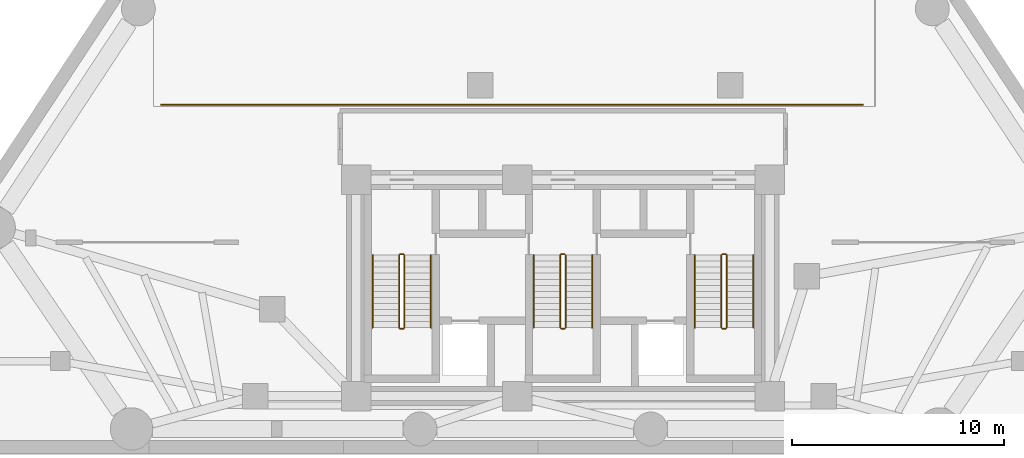
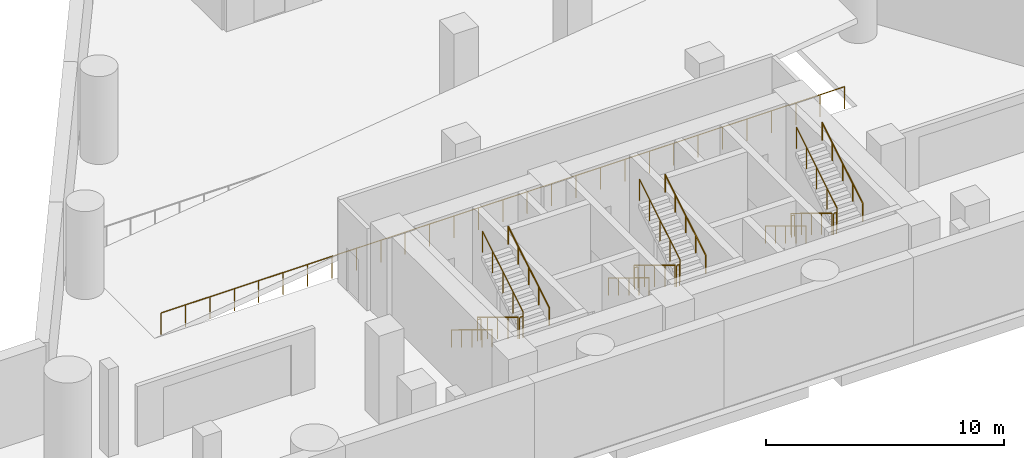
# One storey, part 5 of 6: 19 railings.
"""IFC4 building model written with IfcOpenShell, lengths in metres."""

from ifc_helpers import new_model, si_unit, direction, frame, origin, origin_2d, place, context, subcontext, project, spatial, circle, extrude, material, type_object, element, save


model = new_model("IFC4")

# Units and contexts
model_context = context("Model", 3, precision=1e-05, world=origin(), true_north=direction((0.0, 1.0)))
body_context = subcontext(model_context, "Body", "Model", "MODEL_VIEW")
ifc_project = project(units=[si_unit("LENGTHUNIT", "METRE"), si_unit("AREAUNIT", "SQUARE_METRE"), si_unit("VOLUMEUNIT", "CUBIC_METRE"), si_unit("PLANEANGLEUNIT", "RADIAN"), si_unit("MASSUNIT", "GRAM", prefix="KILO")], contexts=[model_context])

# Site, building, storey
site_placement = place(None, origin())
site = spatial("IfcSite", under=ifc_project, at=site_placement, CompositionType="ELEMENT")
building_placement = place(site_placement, origin())
building = spatial("IfcBuilding", under=site, at=building_placement, Name="Almagre Mirador Tower", CompositionType="ELEMENT")
storey_placement = place(building_placement, frame((0.0, 0.0, -4.5)))
storey = spatial("IfcBuildingStorey", under=building, at=storey_placement, Name="B01", CompositionType="ELEMENT", Elevation=-4.5)

# Railings
ifc_material_1 = material(Name="Painted galvanized steel", Category="steel")
railing_type_1 = type_object("IfcRailingType", Name="RLG-GRD-1100", PredefinedType="GUARDRAIL", material=ifc_material_1)
railing_1_placement = place(storey_placement, frame((29.574951171875, 11.199951171875, 0.173095703125)))
element("IfcRailing", 1, at=railing_1_placement, inside=storey, type_object=railing_type_1, Name="B01 ST-1 stair guard 1", PredefinedType="GUARDRAIL", context=body_context, shape_type="SweptSolid", body=[
    extrude(circle(Radius=0.02392578125, at=origin_2d()), frame((0.0, 0.0, 1.09619140625), z_axis=(0.0, -0.854729506542, 0.519073665916), x_axis=(1.0, 0.0, 0.0)), (0.0, 0.0, 1.0), 4.001220703125),
    extrude(circle(Radius=0.02099609375, at=origin_2d()), origin(), (0.0, 0.0, 1.0), 1.072021484375),
    extrude(circle(Radius=0.02099609375, at=origin_2d()), frame((0.0, -0.85498046875, 0.519287109375)), (0.0, 0.0, 1.0), 1.072021484375),
    extrude(circle(Radius=0.02099609375, at=origin_2d()), frame((0.0, -1.7099609375, 1.03857421875)), (0.0, 0.0, 1.0), 1.072021484375),
    extrude(circle(Radius=0.02099609375, at=origin_2d()), frame((0.0, -2.56494140625, 1.5576171875)), (0.0, 0.0, 1.0), 1.072021484375),
    extrude(circle(Radius=0.02099609375, at=origin_2d()), frame((0.0, -3.419921875, 2.076904296875)), (0.0, 0.0, 1.0), 1.072021484375),
])
railing_2_placement = place(storey_placement, frame((29.625, 7.72998046875, 2.25)))
element("IfcRailing", 2, at=railing_2_placement, inside=storey, type_object=railing_type_1, Name="B01 ST-1 stair guard 2", PredefinedType="GUARDRAIL", context=body_context, shape_type="SweptSolid", body=[
    extrude(circle(Radius=0.02392578125, at=origin_2d()), frame((0.0, 0.0, 1.09619140625), z_axis=(1.0, 0.0, 0.0), x_axis=(0.0, 1.0, 0.0)), (0.0, 0.0, 1.0), 0.14990234375),
    extrude(circle(Radius=0.02099609375, at=origin_2d()), origin(), (0.0, 0.0, 1.0), 1.072021484375),
    extrude(circle(Radius=0.02099609375, at=origin_2d()), frame((0.14990234375, 0.0, 0.0)), (0.0, 0.0, 1.0), 1.072021484375),
])
railing_3_placement = place(storey_placement, frame((29.824951171875, 7.780029296875, 2.423095703125)))
element("IfcRailing", 3, at=railing_3_placement, inside=storey, type_object=railing_type_1, Name="B01 ST-1 stair guard 3", PredefinedType="GUARDRAIL", context=body_context, shape_type="SweptSolid", body=[
    extrude(circle(Radius=0.02392578125, at=origin_2d()), frame((0.0, 0.0, 1.09619140625), z_axis=(0.0, 0.854729506542, 0.519073665916), x_axis=(-1.0, 0.0, 0.0)), (0.0, 0.0, 1.0), 4.001220703125),
    extrude(circle(Radius=0.02099609375, at=origin_2d()), origin(), (0.0, 0.0, 1.0), 1.072021484375),
    extrude(circle(Radius=0.02099609375, at=origin_2d()), frame((0.0, 0.85498046875, 0.519287109375)), (0.0, 0.0, 1.0), 1.072021484375),
    extrude(circle(Radius=0.02099609375, at=origin_2d()), frame((0.0, 1.7099609375, 1.03857421875)), (0.0, 0.0, 1.0), 1.072021484375),
    extrude(circle(Radius=0.02099609375, at=origin_2d()), frame((0.0, 2.56494140625, 1.5576171875)), (0.0, 0.0, 1.0), 1.072021484375),
    extrude(circle(Radius=0.02099609375, at=origin_2d()), frame((0.0, 3.419921875, 2.076904296875)), (0.0, 0.0, 1.0), 1.072021484375),
])
railing_4_placement = place(storey_placement, frame((29.625, 11.25, 0.0)))
element("IfcRailing", 4, at=railing_4_placement, inside=storey, type_object=railing_type_1, Name="B01 ST-1 stair guard 4", PredefinedType="GUARDRAIL", context=body_context, shape_type="SweptSolid", body=[
    extrude(circle(Radius=0.02392578125, at=origin_2d()), frame((0.0, 0.0, 1.09619140625), z_axis=(1.0, 0.0, 0.0), x_axis=(0.0, 1.0, 0.0)), (0.0, 0.0, 1.0), 0.14990234375),
    extrude(circle(Radius=0.02099609375, at=origin_2d()), origin(), (0.0, 0.0, 1.0), 1.072021484375),
    extrude(circle(Radius=0.02099609375, at=origin_2d()), frame((0.14990234375, 0.0, 0.0)), (0.0, 0.0, 1.0), 1.072021484375),
])
railing_5_placement = place(storey_placement, frame((37.175048828125, 11.199951171875, 0.173095703125)))
element("IfcRailing", 5, at=railing_5_placement, inside=storey, type_object=railing_type_1, Name="B01 ST-2 stair guard 1", PredefinedType="GUARDRAIL", context=body_context, shape_type="SweptSolid", body=[
    extrude(circle(Radius=0.02392578125, at=origin_2d()), frame((0.0, 0.0, 1.09619140625), z_axis=(0.0, -0.854729506542, 0.519073665916), x_axis=(1.0, 0.0, 0.0)), (0.0, 0.0, 1.0), 4.001220703125),
    extrude(circle(Radius=0.02099609375, at=origin_2d()), origin(), (0.0, 0.0, 1.0), 1.072021484375),
    extrude(circle(Radius=0.02099609375, at=origin_2d()), frame((0.0, -0.85498046875, 0.519287109375)), (0.0, 0.0, 1.0), 1.072021484375),
    extrude(circle(Radius=0.02099609375, at=origin_2d()), frame((0.0, -1.7099609375, 1.03857421875)), (0.0, 0.0, 1.0), 1.072021484375),
    extrude(circle(Radius=0.02099609375, at=origin_2d()), frame((0.0, -2.56494140625, 1.5576171875)), (0.0, 0.0, 1.0), 1.072021484375),
    extrude(circle(Radius=0.02099609375, at=origin_2d()), frame((0.0, -3.419921875, 2.076904296875)), (0.0, 0.0, 1.0), 1.072021484375),
])
railing_6_placement = place(storey_placement, frame((37.22509765625, 7.72998046875, 2.25)))
element("IfcRailing", 6, at=railing_6_placement, inside=storey, type_object=railing_type_1, Name="B01 ST-2 stair guard 2", PredefinedType="GUARDRAIL", context=body_context, shape_type="SweptSolid", body=[
    extrude(circle(Radius=0.02392578125, at=origin_2d()), frame((0.0, 0.0, 1.09619140625), z_axis=(1.0, 0.0, 0.0), x_axis=(0.0, 1.0, 0.0)), (0.0, 0.0, 1.0), 0.14990234375),
    extrude(circle(Radius=0.02099609375, at=origin_2d()), origin(), (0.0, 0.0, 1.0), 1.072021484375),
    extrude(circle(Radius=0.02099609375, at=origin_2d()), frame((0.14990234375, 0.0, 0.0)), (0.0, 0.0, 1.0), 1.072021484375),
])
railing_7_placement = place(storey_placement, frame((37.425048828125, 7.780029296875, 2.423095703125)))
element("IfcRailing", 7, at=railing_7_placement, inside=storey, type_object=railing_type_1, Name="B01 ST-2 stair guard 3", PredefinedType="GUARDRAIL", context=body_context, shape_type="SweptSolid", body=[
    extrude(circle(Radius=0.02392578125, at=origin_2d()), frame((0.0, 0.0, 1.09619140625), z_axis=(0.0, 0.854729506542, 0.519073665916), x_axis=(-1.0, 0.0, 0.0)), (0.0, 0.0, 1.0), 4.001220703125),
    extrude(circle(Radius=0.02099609375, at=origin_2d()), origin(), (0.0, 0.0, 1.0), 1.072021484375),
    extrude(circle(Radius=0.02099609375, at=origin_2d()), frame((0.0, 0.85498046875, 0.519287109375)), (0.0, 0.0, 1.0), 1.072021484375),
    extrude(circle(Radius=0.02099609375, at=origin_2d()), frame((0.0, 1.7099609375, 1.03857421875)), (0.0, 0.0, 1.0), 1.072021484375),
    extrude(circle(Radius=0.02099609375, at=origin_2d()), frame((0.0, 2.56494140625, 1.5576171875)), (0.0, 0.0, 1.0), 1.072021484375),
    extrude(circle(Radius=0.02099609375, at=origin_2d()), frame((0.0, 3.419921875, 2.076904296875)), (0.0, 0.0, 1.0), 1.072021484375),
])
railing_8_placement = place(storey_placement, frame((37.22509765625, 11.25, 0.0)))
element("IfcRailing", 8, at=railing_8_placement, inside=storey, type_object=railing_type_1, Name="B01 ST-2 stair guard 4", PredefinedType="GUARDRAIL", context=body_context, shape_type="SweptSolid", body=[
    extrude(circle(Radius=0.02392578125, at=origin_2d()), frame((0.0, 0.0, 1.09619140625), z_axis=(1.0, 0.0, 0.0), x_axis=(0.0, 1.0, 0.0)), (0.0, 0.0, 1.0), 0.14990234375),
    extrude(circle(Radius=0.02099609375, at=origin_2d()), origin(), (0.0, 0.0, 1.0), 1.072021484375),
    extrude(circle(Radius=0.02099609375, at=origin_2d()), frame((0.14990234375, 0.0, 0.0)), (0.0, 0.0, 1.0), 1.072021484375),
])
railing_9_placement = place(storey_placement, frame((44.77490234375, 11.199951171875, 0.173095703125)))
element("IfcRailing", 9, at=railing_9_placement, inside=storey, type_object=railing_type_1, Name="B01 ST-3 stair guard 1", PredefinedType="GUARDRAIL", context=body_context, shape_type="SweptSolid", body=[
    extrude(circle(Radius=0.02392578125, at=origin_2d()), frame((0.0, 0.0, 1.09619140625), z_axis=(0.0, -0.854729506542, 0.519073665916), x_axis=(1.0, 0.0, 0.0)), (0.0, 0.0, 1.0), 4.001220703125),
    extrude(circle(Radius=0.02099609375, at=origin_2d()), origin(), (0.0, 0.0, 1.0), 1.072021484375),
    extrude(circle(Radius=0.02099609375, at=origin_2d()), frame((0.0, -0.85498046875, 0.519287109375)), (0.0, 0.0, 1.0), 1.072021484375),
    extrude(circle(Radius=0.02099609375, at=origin_2d()), frame((0.0, -1.7099609375, 1.03857421875)), (0.0, 0.0, 1.0), 1.072021484375),
    extrude(circle(Radius=0.02099609375, at=origin_2d()), frame((0.0, -2.56494140625, 1.5576171875)), (0.0, 0.0, 1.0), 1.072021484375),
    extrude(circle(Radius=0.02099609375, at=origin_2d()), frame((0.0, -3.419921875, 2.076904296875)), (0.0, 0.0, 1.0), 1.072021484375),
])
railing_10_placement = place(storey_placement, frame((44.824951171875, 7.72998046875, 2.25)))
element("IfcRailing", 10, at=railing_10_placement, inside=storey, type_object=railing_type_1, Name="B01 ST-3 stair guard 2", PredefinedType="GUARDRAIL", context=body_context, shape_type="SweptSolid", body=[
    extrude(circle(Radius=0.02392578125, at=origin_2d()), frame((0.0, 0.0, 1.09619140625), z_axis=(1.0, 0.0, 0.0), x_axis=(0.0, 1.0, 0.0)), (0.0, 0.0, 1.0), 0.150146484375),
    extrude(circle(Radius=0.02099609375, at=origin_2d()), origin(), (0.0, 0.0, 1.0), 1.072021484375),
    extrude(circle(Radius=0.02099609375, at=origin_2d()), frame((0.150146484375, 0.0, 0.0)), (0.0, 0.0, 1.0), 1.072021484375),
])
railing_11_placement = place(storey_placement, frame((45.02490234375, 7.780029296875, 2.423095703125)))
element("IfcRailing", 11, at=railing_11_placement, inside=storey, type_object=railing_type_1, Name="B01 ST-3 stair guard 3", PredefinedType="GUARDRAIL", context=body_context, shape_type="SweptSolid", body=[
    extrude(circle(Radius=0.02392578125, at=origin_2d()), frame((0.0, 0.0, 1.09619140625), z_axis=(0.0, 0.854729506542, 0.519073665916), x_axis=(-1.0, 0.0, 0.0)), (0.0, 0.0, 1.0), 4.001220703125),
    extrude(circle(Radius=0.02099609375, at=origin_2d()), origin(), (0.0, 0.0, 1.0), 1.072021484375),
    extrude(circle(Radius=0.02099609375, at=origin_2d()), frame((0.0, 0.85498046875, 0.519287109375)), (0.0, 0.0, 1.0), 1.072021484375),
    extrude(circle(Radius=0.02099609375, at=origin_2d()), frame((0.0, 1.7099609375, 1.03857421875)), (0.0, 0.0, 1.0), 1.072021484375),
    extrude(circle(Radius=0.02099609375, at=origin_2d()), frame((0.0, 2.56494140625, 1.5576171875)), (0.0, 0.0, 1.0), 1.072021484375),
    extrude(circle(Radius=0.02099609375, at=origin_2d()), frame((0.0, 3.419921875, 2.076904296875)), (0.0, 0.0, 1.0), 1.072021484375),
])
railing_12_placement = place(storey_placement, frame((44.824951171875, 11.25, 0.0)))
element("IfcRailing", 12, at=railing_12_placement, inside=storey, type_object=railing_type_1, Name="B01 ST-3 stair guard 4", PredefinedType="GUARDRAIL", context=body_context, shape_type="SweptSolid", body=[
    extrude(circle(Radius=0.02392578125, at=origin_2d()), frame((0.0, 0.0, 1.09619140625), z_axis=(1.0, 0.0, 0.0), x_axis=(0.0, 1.0, 0.0)), (0.0, 0.0, 1.0), 0.150146484375),
    extrude(circle(Radius=0.02099609375, at=origin_2d()), origin(), (0.0, 0.0, 1.0), 1.072021484375),
    extrude(circle(Radius=0.02099609375, at=origin_2d()), frame((0.150146484375, 0.0, 0.0)), (0.0, 0.0, 1.0), 1.072021484375),
])
ifc_material_2 = material(Name="Painted galvanized steel", Category="steel")
railing_type_2 = type_object("IfcRailingType", Name="RLG-GRD-1150", PredefinedType="GUARDRAIL", material=ifc_material_2)
railing_13_placement = place(storey_placement, frame((18.35009765625, 18.280029296875, 0.0)))
element("IfcRailing", 13, at=railing_13_placement, inside=storey, type_object=railing_type_2, Name="B01 vehicular ramp south edge guardrail", PredefinedType="GUARDRAIL", context=body_context, shape_type="SweptSolid", body=[
    extrude(circle(Radius=0.02392578125, at=origin_2d()), frame((0.0, 0.0, 1.1259765625), z_axis=(1.0, 0.0, 0.0), x_axis=(0.0, 1.0, 0.0)), (0.0, 0.0, 1.0), 33.099853515625),
    extrude(circle(Radius=0.02099609375, at=origin_2d()), origin(), (0.0, 0.0, 1.0), 1.101806640625),
    extrude(circle(Radius=0.02099609375, at=origin_2d()), frame((1.18212890625, 0.0, 0.0)), (0.0, 0.0, 1.0), 1.101806640625),
    extrude(circle(Radius=0.02099609375, at=origin_2d()), frame((2.3642578125, 0.0, 0.0)), (0.0, 0.0, 1.0), 1.101806640625),
    extrude(circle(Radius=0.02099609375, at=origin_2d()), frame((3.54638671875, 0.0, 0.0)), (0.0, 0.0, 1.0), 1.101806640625),
    extrude(circle(Radius=0.02099609375, at=origin_2d()), frame((4.728515625, 0.0, 0.0)), (0.0, 0.0, 1.0), 1.101806640625),
    extrude(circle(Radius=0.02099609375, at=origin_2d()), frame((5.91064453125, 0.0, 0.0)), (0.0, 0.0, 1.0), 1.101806640625),
    extrude(circle(Radius=0.02099609375, at=origin_2d()), frame((7.0927734375, 0.0, 0.0)), (0.0, 0.0, 1.0), 1.101806640625),
    extrude(circle(Radius=0.02099609375, at=origin_2d()), frame((8.27490234375, 0.0, 0.0)), (0.0, 0.0, 1.0), 1.101806640625),
    extrude(circle(Radius=0.02099609375, at=origin_2d()), frame((9.45703125, 0.0, 0.0)), (0.0, 0.0, 1.0), 1.101806640625),
    extrude(circle(Radius=0.02099609375, at=origin_2d()), frame((10.63916015625, 0.0, 0.0)), (0.0, 0.0, 1.0), 1.101806640625),
    extrude(circle(Radius=0.02099609375, at=origin_2d()), frame((11.8212890625, 0.0, 0.0)), (0.0, 0.0, 1.0), 1.101806640625),
    extrude(circle(Radius=0.02099609375, at=origin_2d()), frame((13.00341796875, 0.0, 0.0)), (0.0, 0.0, 1.0), 1.101806640625),
    extrude(circle(Radius=0.02099609375, at=origin_2d()), frame((14.185546875, 0.0, 0.0)), (0.0, 0.0, 1.0), 1.101806640625),
    extrude(circle(Radius=0.02099609375, at=origin_2d()), frame((15.36767578125, 0.0, 0.0)), (0.0, 0.0, 1.0), 1.101806640625),
    extrude(circle(Radius=0.02099609375, at=origin_2d()), frame((16.5498046875, 0.0, 0.0)), (0.0, 0.0, 1.0), 1.101806640625),
    extrude(circle(Radius=0.02099609375, at=origin_2d()), frame((17.732177734375, 0.0, 0.0)), (0.0, 0.0, 1.0), 1.101806640625),
    extrude(circle(Radius=0.02099609375, at=origin_2d()), frame((18.914306640625, 0.0, 0.0)), (0.0, 0.0, 1.0), 1.101806640625),
    extrude(circle(Radius=0.02099609375, at=origin_2d()), frame((20.096435546875, 0.0, 0.0)), (0.0, 0.0, 1.0), 1.101806640625),
    extrude(circle(Radius=0.02099609375, at=origin_2d()), frame((21.278564453125, 0.0, 0.0)), (0.0, 0.0, 1.0), 1.101806640625),
    extrude(circle(Radius=0.02099609375, at=origin_2d()), frame((22.460693359375, 0.0, 0.0)), (0.0, 0.0, 1.0), 1.101806640625),
    extrude(circle(Radius=0.02099609375, at=origin_2d()), frame((23.642822265625, 0.0, 0.0)), (0.0, 0.0, 1.0), 1.101806640625),
    extrude(circle(Radius=0.02099609375, at=origin_2d()), frame((24.824951171875, 0.0, 0.0)), (0.0, 0.0, 1.0), 1.101806640625),
    extrude(circle(Radius=0.02099609375, at=origin_2d()), frame((26.007080078125, 0.0, 0.0)), (0.0, 0.0, 1.0), 1.101806640625),
    extrude(circle(Radius=0.02099609375, at=origin_2d()), frame((27.189208984375, 0.0, 0.0)), (0.0, 0.0, 1.0), 1.101806640625),
    extrude(circle(Radius=0.02099609375, at=origin_2d()), frame((28.371337890625, 0.0, 0.0)), (0.0, 0.0, 1.0), 1.101806640625),
    extrude(circle(Radius=0.02099609375, at=origin_2d()), frame((29.553466796875, 0.0, 0.0)), (0.0, 0.0, 1.0), 1.101806640625),
    extrude(circle(Radius=0.02099609375, at=origin_2d()), frame((30.735595703125, 0.0, 0.0)), (0.0, 0.0, 1.0), 1.101806640625),
    extrude(circle(Radius=0.02099609375, at=origin_2d()), frame((31.917724609375, 0.0, 0.0)), (0.0, 0.0, 1.0), 1.101806640625),
    extrude(circle(Radius=0.02099609375, at=origin_2d()), frame((33.099853515625, 0.0, 0.0)), (0.0, 0.0, 1.0), 1.101806640625),
])
ifc_material_3 = material(Name="Brushed stainless steel", Category="steel")
railing_type_3 = type_object("IfcRailingType", Name="RLG-HND-915", PredefinedType="HANDRAIL", material=ifc_material_3)
railing_14_placement = place(storey_placement, frame((28.324951171875, 11.199951171875, 0.173095703125)))
element("IfcRailing", 14, at=railing_14_placement, inside=storey, type_object=railing_type_3, Name="B01 ST-1 stair handrail 1", PredefinedType="HANDRAIL", context=body_context, shape_type="SweptSolid", body=[
    extrude(circle(Radius=0.02392578125, at=origin_2d()), frame((0.0, 0.0, 0.89111328125), z_axis=(0.0, -0.854729506542, 0.519073665916), x_axis=(1.0, 0.0, 0.0)), (0.0, 0.0, 1.0), 4.001220703125),
    extrude(circle(Radius=0.02099609375, at=origin_2d()), origin(), (0.0, 0.0, 1.0), 0.866943359375),
    extrude(circle(Radius=0.02099609375, at=origin_2d()), frame((0.0, -0.85498046875, 0.519287109375)), (0.0, 0.0, 1.0), 0.866943359375),
    extrude(circle(Radius=0.02099609375, at=origin_2d()), frame((0.0, -1.7099609375, 1.03857421875)), (0.0, 0.0, 1.0), 0.866943359375),
    extrude(circle(Radius=0.02099609375, at=origin_2d()), frame((0.0, -2.56494140625, 1.5576171875)), (0.0, 0.0, 1.0), 0.866943359375),
    extrude(circle(Radius=0.02099609375, at=origin_2d()), frame((0.0, -3.419921875, 2.076904296875)), (0.0, 0.0, 1.0), 0.866943359375),
])
railing_15_placement = place(storey_placement, frame((31.074951171875, 7.780029296875, 2.423095703125)))
element("IfcRailing", 15, at=railing_15_placement, inside=storey, type_object=railing_type_3, Name="B01 ST-1 stair handrail 2", PredefinedType="HANDRAIL", context=body_context, shape_type="SweptSolid", body=[
    extrude(circle(Radius=0.02392578125, at=origin_2d()), frame((0.0, 0.0, 0.89111328125), z_axis=(0.0, 0.854729506542, 0.519073665916), x_axis=(-1.0, 0.0, 0.0)), (0.0, 0.0, 1.0), 4.001220703125),
    extrude(circle(Radius=0.02099609375, at=origin_2d()), origin(), (0.0, 0.0, 1.0), 0.866943359375),
    extrude(circle(Radius=0.02099609375, at=origin_2d()), frame((0.0, 0.85498046875, 0.519287109375)), (0.0, 0.0, 1.0), 0.866943359375),
    extrude(circle(Radius=0.02099609375, at=origin_2d()), frame((0.0, 1.7099609375, 1.03857421875)), (0.0, 0.0, 1.0), 0.866943359375),
    extrude(circle(Radius=0.02099609375, at=origin_2d()), frame((0.0, 2.56494140625, 1.5576171875)), (0.0, 0.0, 1.0), 0.866943359375),
    extrude(circle(Radius=0.02099609375, at=origin_2d()), frame((0.0, 3.419921875, 2.076904296875)), (0.0, 0.0, 1.0), 0.866943359375),
])
railing_16_placement = place(storey_placement, frame((35.925048828125, 11.199951171875, 0.173095703125)))
element("IfcRailing", 16, at=railing_16_placement, inside=storey, type_object=railing_type_3, Name="B01 ST-2 stair handrail 1", PredefinedType="HANDRAIL", context=body_context, shape_type="SweptSolid", body=[
    extrude(circle(Radius=0.02392578125, at=origin_2d()), frame((0.0, 0.0, 0.89111328125), z_axis=(0.0, -0.854729506542, 0.519073665916), x_axis=(1.0, 0.0, 0.0)), (0.0, 0.0, 1.0), 4.001220703125),
    extrude(circle(Radius=0.02099609375, at=origin_2d()), origin(), (0.0, 0.0, 1.0), 0.866943359375),
    extrude(circle(Radius=0.02099609375, at=origin_2d()), frame((0.0, -0.85498046875, 0.519287109375)), (0.0, 0.0, 1.0), 0.866943359375),
    extrude(circle(Radius=0.02099609375, at=origin_2d()), frame((0.0, -1.7099609375, 1.03857421875)), (0.0, 0.0, 1.0), 0.866943359375),
    extrude(circle(Radius=0.02099609375, at=origin_2d()), frame((0.0, -2.56494140625, 1.5576171875)), (0.0, 0.0, 1.0), 0.866943359375),
    extrude(circle(Radius=0.02099609375, at=origin_2d()), frame((0.0, -3.419921875, 2.076904296875)), (0.0, 0.0, 1.0), 0.866943359375),
])
railing_17_placement = place(storey_placement, frame((38.675048828125, 7.780029296875, 2.423095703125)))
element("IfcRailing", 17, at=railing_17_placement, inside=storey, type_object=railing_type_3, Name="B01 ST-2 stair handrail 2", PredefinedType="HANDRAIL", context=body_context, shape_type="SweptSolid", body=[
    extrude(circle(Radius=0.02392578125, at=origin_2d()), frame((0.0, 0.0, 0.89111328125), z_axis=(0.0, 0.854729506542, 0.519073665916), x_axis=(-1.0, 0.0, 0.0)), (0.0, 0.0, 1.0), 4.001220703125),
    extrude(circle(Radius=0.02099609375, at=origin_2d()), origin(), (0.0, 0.0, 1.0), 0.866943359375),
    extrude(circle(Radius=0.02099609375, at=origin_2d()), frame((0.0, 0.85498046875, 0.519287109375)), (0.0, 0.0, 1.0), 0.866943359375),
    extrude(circle(Radius=0.02099609375, at=origin_2d()), frame((0.0, 1.7099609375, 1.03857421875)), (0.0, 0.0, 1.0), 0.866943359375),
    extrude(circle(Radius=0.02099609375, at=origin_2d()), frame((0.0, 2.56494140625, 1.5576171875)), (0.0, 0.0, 1.0), 0.866943359375),
    extrude(circle(Radius=0.02099609375, at=origin_2d()), frame((0.0, 3.419921875, 2.076904296875)), (0.0, 0.0, 1.0), 0.866943359375),
])
railing_18_placement = place(storey_placement, frame((43.52490234375, 11.199951171875, 0.173095703125)))
element("IfcRailing", 18, at=railing_18_placement, inside=storey, type_object=railing_type_3, Name="B01 ST-3 stair handrail 1", PredefinedType="HANDRAIL", context=body_context, shape_type="SweptSolid", body=[
    extrude(circle(Radius=0.02392578125, at=origin_2d()), frame((0.0, 0.0, 0.89111328125), z_axis=(0.0, -0.854729506542, 0.519073665916), x_axis=(1.0, 0.0, 0.0)), (0.0, 0.0, 1.0), 4.001220703125),
    extrude(circle(Radius=0.02099609375, at=origin_2d()), origin(), (0.0, 0.0, 1.0), 0.866943359375),
    extrude(circle(Radius=0.02099609375, at=origin_2d()), frame((0.0, -0.85498046875, 0.519287109375)), (0.0, 0.0, 1.0), 0.866943359375),
    extrude(circle(Radius=0.02099609375, at=origin_2d()), frame((0.0, -1.7099609375, 1.03857421875)), (0.0, 0.0, 1.0), 0.866943359375),
    extrude(circle(Radius=0.02099609375, at=origin_2d()), frame((0.0, -2.56494140625, 1.5576171875)), (0.0, 0.0, 1.0), 0.866943359375),
    extrude(circle(Radius=0.02099609375, at=origin_2d()), frame((0.0, -3.419921875, 2.076904296875)), (0.0, 0.0, 1.0), 0.866943359375),
])
railing_19_placement = place(storey_placement, frame((46.27490234375, 7.780029296875, 2.423095703125)))
element("IfcRailing", 19, at=railing_19_placement, inside=storey, type_object=railing_type_3, Name="B01 ST-3 stair handrail 2", PredefinedType="HANDRAIL", context=body_context, shape_type="SweptSolid", body=[
    extrude(circle(Radius=0.02392578125, at=origin_2d()), frame((0.0, 0.0, 0.89111328125), z_axis=(0.0, 0.854729506542, 0.519073665916), x_axis=(-1.0, 0.0, 0.0)), (0.0, 0.0, 1.0), 4.001220703125),
    extrude(circle(Radius=0.02099609375, at=origin_2d()), origin(), (0.0, 0.0, 1.0), 0.866943359375),
    extrude(circle(Radius=0.02099609375, at=origin_2d()), frame((0.0, 0.85498046875, 0.519287109375)), (0.0, 0.0, 1.0), 0.866943359375),
    extrude(circle(Radius=0.02099609375, at=origin_2d()), frame((0.0, 1.7099609375, 1.03857421875)), (0.0, 0.0, 1.0), 0.866943359375),
    extrude(circle(Radius=0.02099609375, at=origin_2d()), frame((0.0, 2.56494140625, 1.5576171875)), (0.0, 0.0, 1.0), 0.866943359375),
    extrude(circle(Radius=0.02099609375, at=origin_2d()), frame((0.0, 3.419921875, 2.076904296875)), (0.0, 0.0, 1.0), 0.866943359375),
])

save(model, "model.ifc")
